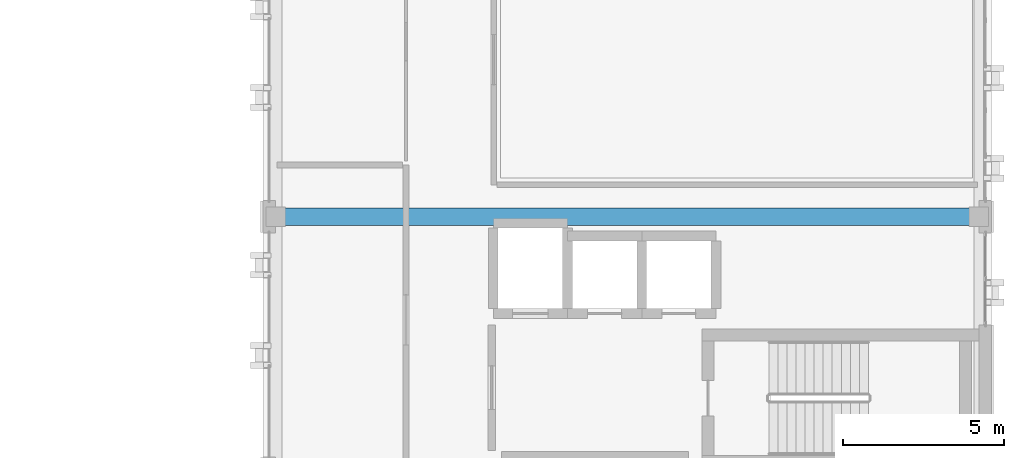
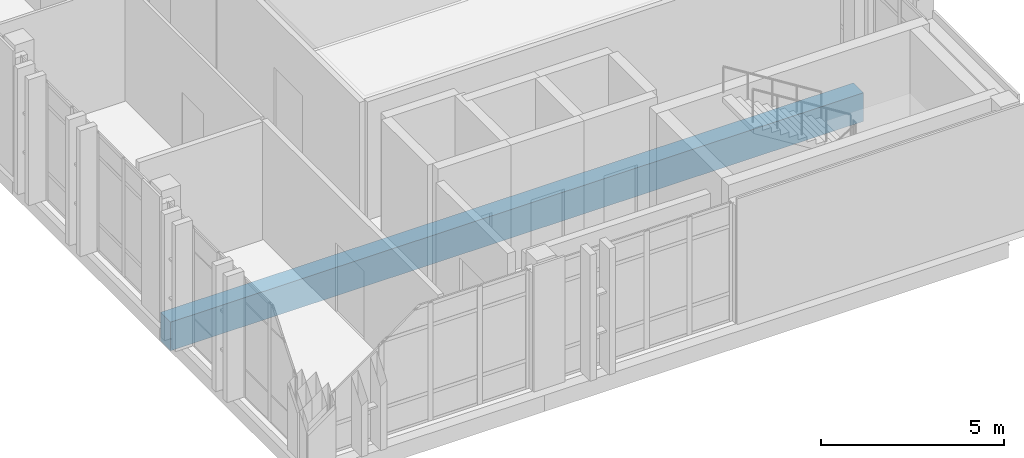
# One storey, part 20 of 90: 1 beam.
"""IFC4 building model written with IfcOpenShell, lengths in metres."""

from ifc_helpers import new_model, si_unit, direction, frame, origin, origin_2d, place, context, subcontext, project, spatial, rectangle, extrude, material, material_profile, profile_set, type_object, element, save


model = new_model("IFC4")

# Units and contexts
model_context = context("Model", 3, precision=1e-05, world=origin(), true_north=direction((0.0, 1.0)))
body_context = subcontext(model_context, "Body", "Model", "MODEL_VIEW")
ifc_project = project(units=[si_unit("LENGTHUNIT", "METRE"), si_unit("AREAUNIT", "SQUARE_METRE"), si_unit("VOLUMEUNIT", "CUBIC_METRE"), si_unit("PLANEANGLEUNIT", "RADIAN"), si_unit("MASSUNIT", "GRAM", prefix="KILO")], contexts=[model_context])

# Site, building, storey
site_placement = place(None, origin())
site = spatial("IfcSite", under=ifc_project, at=site_placement, CompositionType="ELEMENT")
building_placement = place(site_placement, origin())
building = spatial("IfcBuilding", under=site, at=building_placement, Name="Qalavern Law Courts", CompositionType="ELEMENT")
storey_placement = place(building_placement, frame((0.0, 0.0, 22.800048828125)))
storey = spatial("IfcBuildingStorey", under=building, at=storey_placement, Name="L05", CompositionType="ELEMENT", Elevation=22.800048828125)

# Beam
ifc_material = material(Name="Concrete C40/50", Category="concrete")
ifc_material_profile = material_profile(ifc_material, rectangle(XDim=0.550048828125, YDim=0.949951171875, at=origin_2d()), Name="RC 550x950")
ifc_profile_set = profile_set([ifc_material_profile], Name="Concrete C40/50")
beam_type = type_object("IfcBeamType", Name="STR-BM-RC550x950", PredefinedType="BEAM", material=ifc_profile_set)
beam_placement = place(storey_placement, frame((84.60009765625, 49.39990234375, -0.75), z_axis=(1.0, 0.0, 0.0), x_axis=(0.0, 1.0, 0.0)))
element("IfcBeam", 1, at=beam_placement, inside=storey, type_object=beam_type, Name="V4 X-beam 2-1 L05", PredefinedType="BEAM", context=body_context, shape_type="SweptSolid", body=[
    extrude(rectangle(XDim=0.550048828125, YDim=0.949951171875, at=origin_2d()), origin(), (0.0, 0.0, 1.0), 21.7998046875),
])

save(model, "model.ifc")
